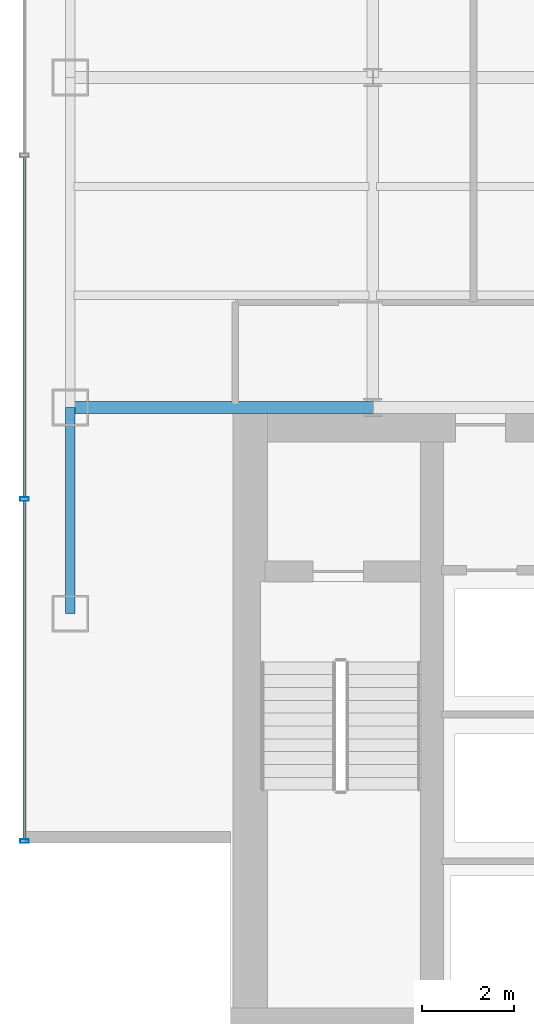
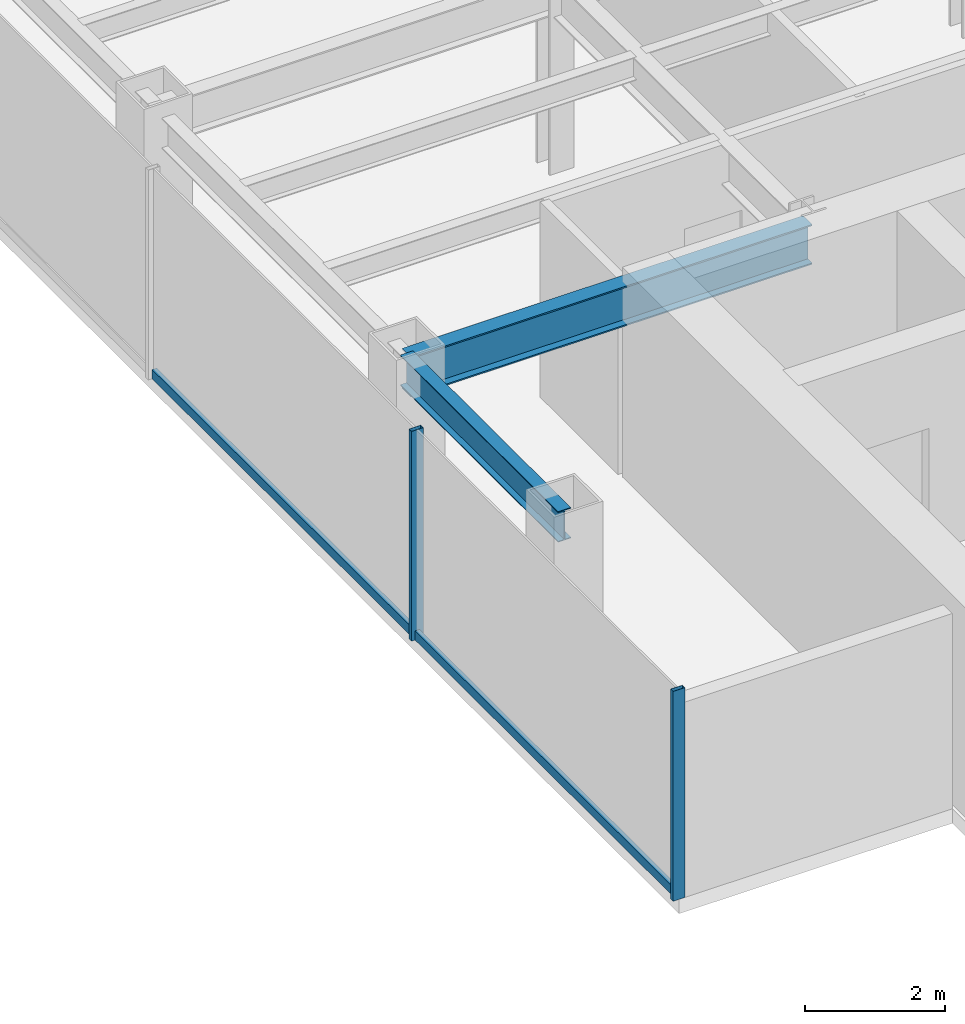
# One storey, part 2 of 26: 4 members, 2 beams, 1 element without a shape of its own.
"""IFC4 building model written with IfcOpenShell, lengths in metres."""

from ifc_helpers import new_model, si_unit, derived_unit, direction, frame, origin, origin_2d, place, context, subcontext, project, spatial, hollow_rectangle, i_section, extrude, source, transform, mapped, material, material_profile, profile_set, type_object, element, aggregate, save


model = new_model("IFC4")

# Units and contexts
model_context = context("Model", 3, precision=1e-05, world=origin(), true_north=direction((0.0, 1.0)))
body_context = subcontext(model_context, "Body", "Model", "MODEL_VIEW")
ifc_project = project(units=[si_unit("LENGTHUNIT", "METRE"), si_unit("AREAUNIT", "SQUARE_METRE"), si_unit("VOLUMEUNIT", "CUBIC_METRE"), si_unit("PLANEANGLEUNIT", "RADIAN"), si_unit("MASSUNIT", "GRAM", prefix="KILO"), derived_unit("THERMALTRANSMITTANCEUNIT", [(si_unit("POWERUNIT", "WATT"), 1), (si_unit("LENGTHUNIT", "METRE"), -2), (si_unit("THERMODYNAMICTEMPERATUREUNIT", "KELVIN"), -1)])], contexts=[model_context])

# Site, building, storey
site_placement = place(None, origin())
site = spatial("IfcSite", under=ifc_project, at=site_placement, CompositionType="ELEMENT")
building_placement = place(site_placement, origin())
building = spatial("IfcBuilding", under=site, at=building_placement, Name="Skarnbrae Concourse Arena and Tower", CompositionType="ELEMENT")
storey_placement = place(building_placement, frame((0.0, 0.0, 121.5)))
storey = spatial("IfcBuildingStorey", under=building, at=storey_placement, Name="L30", CompositionType="ELEMENT", Elevation=121.5)

# Beams
ifc_material_1 = material(Name="Steel CSA G40.21 350W", Category="steel")
ifc_material_profile_1 = material_profile(ifc_material_1, i_section(OverallWidth=0.256103515625, OverallDepth=0.693115234375, WebThickness=0.014404296875, FlangeThickness=0.023681640625, at=origin_2d()), Name="W690X170")
ifc_profile_set_1 = profile_set([ifc_material_profile_1], Name="Steel CSA G40.21 350W")
beam_type_1 = type_object("IfcBeamType", Name="BM-GIRD-W690X170", PredefinedType="BEAM", material=ifc_profile_set_1)
shared_shape_1 = source(origin(), body_context, "Body", "SweptSolid", [
    extrude(i_section(OverallWidth=0.256103515625, OverallDepth=0.693115234375, WebThickness=0.014404296875, FlangeThickness=0.023681640625, at=origin_2d()), origin(), (0.0, 0.0, 1.0), 6.60009765625),
])
beam_1_placement = place(storey_placement, frame((1.0, 14.0, 3.053466796875), z_axis=(1.0, 0.0, 0.0), x_axis=(0.0, 1.0, 0.0)))
element("IfcBeam", 1, at=beam_1_placement, inside=storey, type_object=beam_type_1, Name="L30 Primary E-W girder Y14.0-1", PredefinedType="BEAM", context=body_context, shape_type="MappedRepresentation", body=[
    mapped(shared_shape_1, transform((0.0, 0.0, 0.0))),
])
ifc_material_profile_2 = material_profile(ifc_material_1, i_section(OverallWidth=0.208984375, OverallDepth=0.532958984375, WebThickness=0.01025390625, FlangeThickness=0.015625, at=origin_2d()), Name="W530X92")
ifc_profile_set_2 = profile_set([ifc_material_profile_2], Name="Steel CSA G40.21 350W")
beam_type_2 = type_object("IfcBeamType", Name="BM-SPAN-W530X92", PredefinedType="SPANDREL", material=ifc_profile_set_2)
shared_shape_2 = source(origin(), body_context, "Body", "SweptSolid", [
    extrude(i_section(OverallWidth=0.208984375, OverallDepth=0.532958984375, WebThickness=0.01025390625, FlangeThickness=0.015625, at=origin_2d()), origin(), (0.0, 0.0, 1.0), 4.5),
])
beam_2_placement = place(storey_placement, frame((1.0, 9.5, 3.133544921875), z_axis=(0.0, 1.0, 0.0), x_axis=(-1.0, 0.0, 0.0)))
element("IfcBeam", 2, at=beam_2_placement, inside=storey, type_object=beam_type_2, Name="L30 Perimeter spandrel X1.0-1", PredefinedType="SPANDREL", context=body_context, shape_type="MappedRepresentation", body=[
    mapped(shared_shape_2, transform((0.0, 0.0, 0.0))),
])

# Curtain wall, members
ifc_material_2 = material(Name="Bronze anodised aluminium 6063-T6", Category="aluminium")
curtain_wall_type = type_object("IfcCurtainWallType", Name="CW-SYS-04-MIDZONE", PredefinedType="USERDEFINED", material=ifc_material_2)
curtain_wall_placement = place(storey_placement, origin())
curtain_wall = element("IfcCurtainWall", 3, at=curtain_wall_placement, inside=storey, type_object=curtain_wall_type, Name="L30 Unitised curtain wall CW-L30-E19", ObjectType="UNITISED CURTAIN WALL", PredefinedType="USERDEFINED")
ifc_material_profile_3 = material_profile(ifc_material_2, hollow_rectangle(XDim=0.074951171875, YDim=0.159912109375, WallThickness=0.00439453125, at=origin_2d()), Name="ALU-TRAN-75X160")
ifc_profile_set_3 = profile_set([ifc_material_profile_3], Name="Bronze anodised aluminium 6063-T6")
member_type_1 = type_object("IfcMemberType", Name="CWT-CW-04", PredefinedType="USERDEFINED", material=ifc_profile_set_3)
shared_shape_3 = source(origin(), body_context, "Body", "SweptSolid", [
    extrude(hollow_rectangle(XDim=0.074951171875, YDim=0.159912109375, WallThickness=0.00439453125, at=origin_2d()), origin(), (0.0, 0.0, 1.0), 7.387451171875),
])
member_1_placement = place(storey_placement, frame((0.0, 11.96240234375, 0.080078125), z_axis=(0.0, -1.0, 0.0), x_axis=(1.0, 0.0, 0.0)))
member_1 = element("IfcMember", 4, at=member_1_placement, type_object=member_type_1, Name="CW-L30-E19 Transom 4", ObjectType="TRANSOM", PredefinedType="USERDEFINED", context=body_context, shape_type="MappedRepresentation", body=[
    mapped(shared_shape_3, transform((0.0, 0.0, 0.0))),
])
shared_shape_4 = source(origin(), body_context, "Body", "SweptSolid", [
    extrude(hollow_rectangle(XDim=0.074951171875, YDim=0.159912109375, WallThickness=0.00439453125, at=origin_2d()), origin(), (0.0, 0.0, 1.0), 7.4248046875),
])
member_2_placement = place(storey_placement, frame((0.0, 19.46240234375, 0.080078125), z_axis=(0.0, -1.0, 0.0), x_axis=(1.0, 0.0, 0.0)))
member_2 = element("IfcMember", 5, at=member_2_placement, type_object=member_type_1, Name="CW-L30-E19 Transom 3", ObjectType="TRANSOM", PredefinedType="USERDEFINED", context=body_context, shape_type="MappedRepresentation", body=[
    mapped(shared_shape_4, transform((0.0, 0.0, 0.0))),
])
ifc_material_profile_4 = material_profile(ifc_material_2, hollow_rectangle(XDim=0.074951171875, YDim=0.195068359375, WallThickness=0.00439453125, at=origin_2d()), Name="ALU-MULL-75X195")
ifc_profile_set_4 = profile_set([ifc_material_profile_4], Name="Bronze anodised aluminium 6063-T6")
member_type_2 = type_object("IfcMemberType", Name="CWM-CW-04", PredefinedType="MULLION", material=ifc_profile_set_4)
shared_shape_5 = source(origin(), body_context, "Body", "SweptSolid", [
    extrude(hollow_rectangle(XDim=0.074951171875, YDim=0.195068359375, WallThickness=0.00439453125, at=origin_2d()), origin(), (0.0, 0.0, 1.0), 3.64990234375),
])
member_3_placement = place(storey_placement, frame((0.0, 12.0, 0.0), z_axis=(0.0, 0.0, 1.0), x_axis=(0.0, -1.0, 0.0)))
member_3 = element("IfcMember", 6, at=member_3_placement, type_object=member_type_2, Name="CW-L30-E19 Mullion 4", PredefinedType="MULLION", context=body_context, shape_type="MappedRepresentation", body=[
    mapped(shared_shape_5, transform((0.0, 0.0, 0.0))),
])
member_4_placement = place(storey_placement, frame((0.0, 4.53759765625, 0.0), z_axis=(0.0, 0.0, 1.0), x_axis=(0.0, -1.0, 0.0)))
member_4 = element("IfcMember", 7, at=member_4_placement, type_object=member_type_2, Name="CW-L30-E19 Mullion 5", PredefinedType="MULLION", context=body_context, shape_type="MappedRepresentation", body=[
    mapped(shared_shape_5, transform((0.0, 0.0, 0.0))),
])
aggregate(curtain_wall, [member_3, member_4, member_2, member_1])

save(model, "model.ifc")
